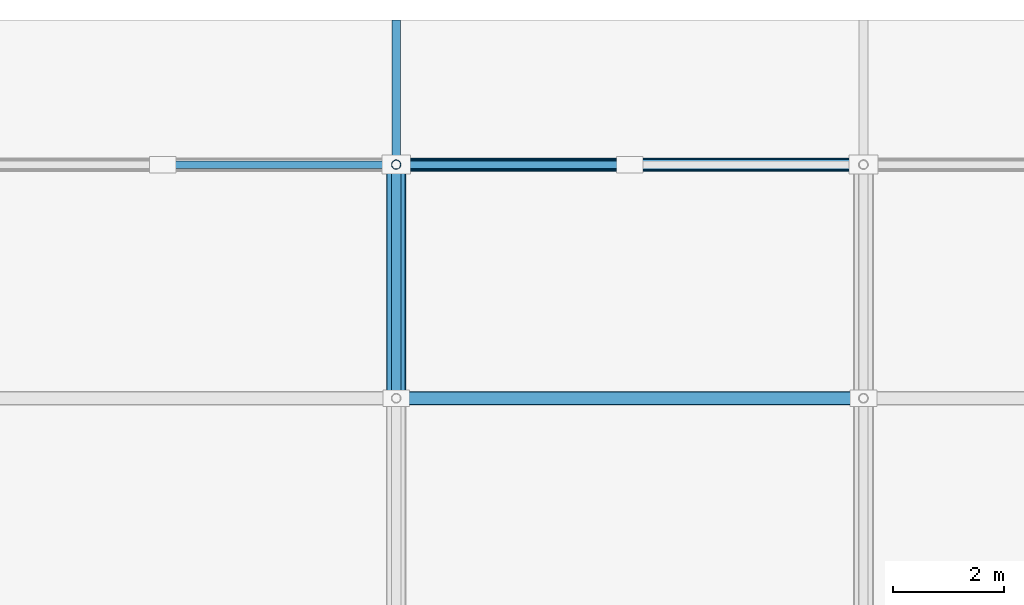
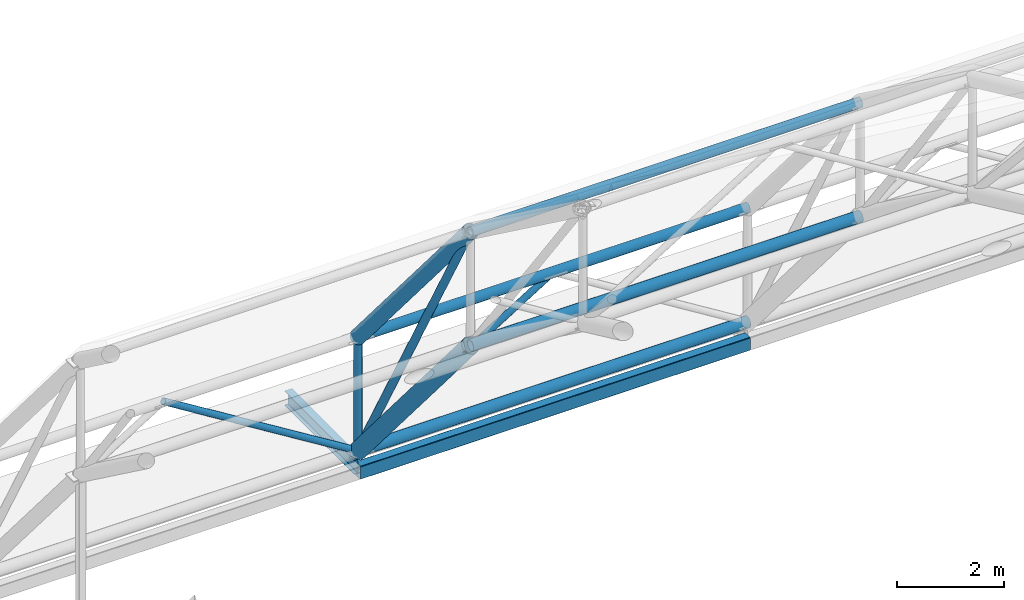
# One storey, part 19 of 103: 8 members, 4 beams.
"""IFC4 building model written with IfcOpenShell, lengths in metres."""

import ifcopenshell
import ifcopenshell.guid

model = None  # the IFC model being written
_history = None  # IfcOwnerHistory: only IFC2X3 demands one
_inside = {}  # id of a spatial element -> (the spatial element, [elements in it])
_under = {}  # id of a project, library or spatial element -> (it, [spatial elements below it])
_declared = {}  # id of a project -> (the project, [libraries it declares])
_typed = {}  # id of a type object -> (the type object, [elements of that type])
_made_of = {}  # id of a material, layer set ... -> (it, [elements and type objects made of it])


def new_model(schema):
    """Start an empty IFC model of exactly this schema.

    Asked for "IFC4X3", IfcOpenShell would pick the latest addendum, in which some entities
    have other attributes; the version numbers below select the first issue.
    IFC2X3 requires an IfcOwnerHistory on every rooted entity: one is made here for all.
    """
    global model, _history
    if schema == "IFC4X3":
        model = ifcopenshell.file(schema_version=(4, 3, 0, 0))
    else:
        model = ifcopenshell.file(schema=schema)
    _inside.clear()
    _under.clear()
    _declared.clear()
    _typed.clear()
    _made_of.clear()
    _history = None
    if model.schema == "IFC2X3":
        org = make("IfcOrganization", Name="unknown")
        user = make(
            "IfcPersonAndOrganization",
            ThePerson=make("IfcPerson", FamilyName="unknown"),
            TheOrganization=org,
        )
        app = make(
            "IfcApplication",
            ApplicationDeveloper=org,
            Version="unknown",
            ApplicationFullName="unknown",
            ApplicationIdentifier="unknown",
        )
        _history = make(
            "IfcOwnerHistory",
            OwningUser=user,
            OwningApplication=app,
            ChangeAction="ADDED",
            CreationDate=0,
        )
    return model


def make(cls, **values):
    """One entity of the class cls with the attributes given. An attribute that is None is left unset."""
    return model.create_entity(
        cls, **{name: value for name, value in values.items() if value is not None}
    )


def rooted(cls, **values):
    """An entity with a GlobalId (a new one), such as an element, a storey or a relation."""
    return make(cls, GlobalId=ifcopenshell.guid.new(), OwnerHistory=_history, **values)


def si_unit(unit_type, name, prefix=None):
    """IfcSIUnit, for example si_unit("LENGTHUNIT", "METRE", prefix="MILLI")."""
    return make("IfcSIUnit", UnitType=unit_type, Prefix=prefix, Name=name)


def assignment(units):
    """IfcUnitAssignment: the units of a project."""
    return None if units is None else make("IfcUnitAssignment", Units=units)


def point(xyz):
    """IfcCartesianPoint."""
    return None if xyz is None else make("IfcCartesianPoint", Coordinates=xyz)


def direction(xyz):
    """IfcDirection."""
    return None if xyz is None else make("IfcDirection", DirectionRatios=xyz)


def frame(location, z_axis=None, x_axis=None):
    """IfcAxis2Placement3D, a coordinate frame: its origin and axes. An axis left out is left unset."""
    return make(
        "IfcAxis2Placement3D",
        Location=point(location),
        Axis=direction(z_axis),
        RefDirection=direction(x_axis),
    )


def frame_2d(location, x_axis=None):
    """IfcAxis2Placement2D, a coordinate frame in the plane: its origin and x axis."""
    return make(
        "IfcAxis2Placement2D", Location=point(location), RefDirection=direction(x_axis)
    )


def origin():
    """The frame at (0, 0, 0) with its axes left unset."""
    return frame((0.0, 0.0, 0.0))


def origin_2d():
    """The frame at (0, 0) in the plane with its x axis left unset."""
    return frame_2d((0.0, 0.0))


def place(relative_to, where):
    """IfcLocalPlacement: puts the frame where relative to a parent placement (None: the world)."""
    return make(
        "IfcLocalPlacement", PlacementRelTo=relative_to, RelativePlacement=where
    )


def context(
    kind, dimensions, precision=None, world=None, true_north=None, identifier=None
):
    """IfcGeometricRepresentationContext, for example the 3D "Model" context."""
    return make(
        "IfcGeometricRepresentationContext",
        ContextIdentifier=identifier,
        ContextType=kind,
        CoordinateSpaceDimension=dimensions,
        Precision=precision,
        WorldCoordinateSystem=world,
        TrueNorth=true_north,
    )


def subcontext(parent, identifier, kind, view, scale=None):
    """IfcGeometricRepresentationSubContext, for example "Body" below "Model"."""
    return make(
        "IfcGeometricRepresentationSubContext",
        ContextIdentifier=identifier,
        ContextType=kind,
        ParentContext=parent,
        TargetScale=scale,
        TargetView=view,
    )


def project(units=None, contexts=None):
    """IfcProject with its units and contexts."""
    return rooted(
        "IfcProject",
        Name="project",
        RepresentationContexts=contexts,
        UnitsInContext=assignment(units),
    )


def spatial(cls, under=None, at=None, **own):
    """A site, building, storey or space (cls), placed at a placement, below another one or the project."""
    s = rooted(cls, ObjectPlacement=at, **own)
    if under is not None:
        _under.setdefault(under.id(), (under, []))[1].append(s)
    return s


def profile(cls, at=None, kind="AREA", **sizes):
    """A parametric profile (cls). Its sizes go by their IFC names, for example OverallWidth=200.0."""
    return make(cls, ProfileType=kind, Position=at, **sizes)


def hollow_rectangle(**sizes):
    """IfcRectangleHollowProfileDef."""
    return profile("IfcRectangleHollowProfileDef", **sizes)


def hollow_circle(**sizes):
    """IfcCircleHollowProfileDef."""
    return profile("IfcCircleHollowProfileDef", **sizes)


def i_section(**sizes):
    """IfcIShapeProfileDef."""
    return profile("IfcIShapeProfileDef", **sizes)


def extrude(swept, where, along, depth):
    """IfcExtrudedAreaSolid: the profile swept, set in the frame where, extruded along a direction by depth."""
    return make(
        "IfcExtrudedAreaSolid",
        SweptArea=swept,
        Position=where,
        ExtrudedDirection=direction(along),
        Depth=depth,
    )


def shape(context_of_items, identifier, shape_type, items):
    """IfcShapeRepresentation: the items that make up one representation, for example the "Body"."""
    return make(
        "IfcShapeRepresentation",
        ContextOfItems=context_of_items,
        RepresentationIdentifier=identifier,
        RepresentationType=shape_type,
        Items=items,
    )


def material(Name=None, Category=None):
    """IfcMaterial."""
    return make("IfcMaterial", Name=Name, Category=Category)


def material_profile(
    of_material, cross_section, Name=None, Category=None, Priority=None
):
    """IfcMaterialProfile: a cross section and its material."""
    return make(
        "IfcMaterialProfile",
        Name=Name,
        Material=of_material,
        Profile=cross_section,
        Priority=Priority,
        Category=Category,
    )


def profile_set(profiles, Name=None, composite=None):
    """IfcMaterialProfileSet."""
    return make(
        "IfcMaterialProfileSet",
        Name=Name,
        MaterialProfiles=profiles,
        CompositeProfile=composite,
    )


def made_of(thing, what):
    """Note that an element or type object is made of a material, layer set ...; save() writes the relation."""
    if what is not None:
        _made_of.setdefault(what.id(), (what, []))[1].append(thing)
    return thing


def type_object(cls, material=None, **own):
    """A type object (cls), such as IfcWallType, which elements share."""
    return made_of(rooted(cls, **own), material)


def element(
    cls,
    number,
    at=None,
    inside=None,
    cuts=None,
    type_object=None,
    material=None,
    context=None,
    identifier="Body",
    shape_type=None,
    held_by="IfcProductDefinitionShape",
    body=None,
    shapes=None,
    **own,
):
    """One element of the class cls, such as IfcWall. Its Tag is "e" and its number.

    at: its placement. inside: the storey or other place that contains it. cuts: it is an
    opening in that element (IfcRelVoidsElement). A single representation is given by context,
    identifier, shape_type and body (its items); several are given by shapes. held_by: the class
    of the entity that holds the representations. save() writes the other relations.
    """
    e = rooted(cls, Tag="e%d" % number, ObjectPlacement=at, **own)
    if body is not None:
        shapes = [shape(context, identifier, shape_type, body)]
    if shapes is not None:
        e.Representation = make(held_by, Representations=shapes)
    if inside is not None:
        _inside.setdefault(inside.id(), (inside, []))[1].append(e)
    if cuts is not None:
        rooted(
            "IfcRelVoidsElement", RelatingBuildingElement=cuts, RelatedOpeningElement=e
        )
    if type_object is not None:
        _typed.setdefault(type_object.id(), (type_object, []))[1].append(e)
    return made_of(e, material)


def aggregate(whole, parts):
    """IfcRelAggregates: a whole, such as a stair, and the parts it consists of."""
    return rooted("IfcRelAggregates", RelatingObject=whole, RelatedObjects=parts)


def save(model, path):
    """Write the relations noted so far, then the file.

    IfcRelAggregates (storeys below a building ...), IfcRelContainedInSpatialStructure (elements
    in a storey), IfcRelDefinesByType, IfcRelAssociatesMaterial and IfcRelDeclares: one each for
    every whole, place, type object, material and project.
    """
    for whole, parts in _under.values():
        aggregate(whole, parts)
    for where, things in _inside.values():
        rooted(
            "IfcRelContainedInSpatialStructure",
            RelatedElements=things,
            RelatingStructure=where,
        )
    for kind, things in _typed.values():
        rooted("IfcRelDefinesByType", RelatedObjects=things, RelatingType=kind)
    for what, things in _made_of.values():
        rooted("IfcRelAssociatesMaterial", RelatedObjects=things, RelatingMaterial=what)
    for by, libraries in _declared.values():
        rooted("IfcRelDeclares", RelatingContext=by, RelatedDefinitions=libraries)
    model.write(path)


model = new_model("IFC4")

# Units and contexts
model_context = context("Model", 3, precision=1e-05, world=origin(), true_north=direction((0.0, 1.0)))
body_context = subcontext(model_context, "Body", "Model", "MODEL_VIEW")
ifc_project = project(units=[si_unit("LENGTHUNIT", "METRE"), si_unit("AREAUNIT", "SQUARE_METRE"), si_unit("VOLUMEUNIT", "CUBIC_METRE"), si_unit("PLANEANGLEUNIT", "RADIAN"), si_unit("MASSUNIT", "GRAM", prefix="KILO")], contexts=[model_context])

# Site, building, storey
site_placement = place(None, origin())
site = spatial("IfcSite", under=ifc_project, at=site_placement, CompositionType="ELEMENT")
building_placement = place(site_placement, origin())
building = spatial("IfcBuilding", under=site, at=building_placement, Name="Varnapada Polytechnic", CompositionType="ELEMENT")
storey_placement = place(building_placement, frame((0.0, 0.0, 18.0)))
storey = spatial("IfcBuildingStorey", under=building, at=storey_placement, Name="L04", CompositionType="ELEMENT", Elevation=18.0)

# Beam
ifc_material = material(Name="Steel S355", Category="steel")
ifc_material_profile_1 = material_profile(ifc_material, i_section(OverallWidth=0.159912109375, OverallDepth=0.330078125, WebThickness=0.007568359375, FlangeThickness=0.011474609375, FilletRadius=0.01806640625, at=origin_2d()), Name="IPE 330")
ifc_profile_set_1 = profile_set([ifc_material_profile_1], Name="Steel S355")
beam_type_1 = type_object("IfcBeamType", Name="Clerestory monitor steel rafter SB-07 (IPE 330)", PredefinedType="BEAM", material=ifc_profile_set_1)
beam_1_placement = place(storey_placement, frame((58.800048828125, 126.0, -0.35009765625), z_axis=(0.0, 1.0, 0.0), x_axis=(-1.0, 0.0, 0.0)))
element("IfcBeam", 1, at=beam_1_placement, inside=storey, type_object=beam_type_1, Name="Workshop eave shade outlooker N.2", PredefinedType="BEAM", context=body_context, shape_type="SweptSolid", body=[
    extrude(i_section(OverallWidth=0.159912109375, OverallDepth=0.330078125, WebThickness=0.007568359375, FlangeThickness=0.011474609375, FilletRadius=0.01806640625, at=origin_2d()), origin(), (0.0, 0.0, 1.0), 2.60009765625),
])

# Members
ifc_material_profile_2 = material_profile(ifc_material, hollow_circle(Radius=0.122314453125, WallThickness=0.008056640625, at=origin_2d()), Name="CHS 244.5x8.0")
ifc_profile_set_2 = profile_set([ifc_material_profile_2], Name="Steel S355")
member_type_1 = type_object("IfcMemberType", Name="Vaulted space frame longitudinal bottom chord SFC-01 (CHS 244.5x8.0)", PredefinedType="CHORD", material=ifc_profile_set_2)
for number, where, z_axis, x_axis, name in (
    (2, (58.800048828125, 121.800048828125, 4.94921875), (1.0, 0.0, 0.0), (0.0, 1.0, 0.0), "Vaulted space frame longitudinal bottom chord 2.10"),
    (3, (58.800048828125, 126.0, 0.0), (1.0, 0.0, 0.0), (0.0, 1.0, 0.0), "Vaulted space frame longitudinal bottom chord 2.11"),
):
    element("IfcMember", number, at=place(storey_placement, frame(where, z_axis=z_axis, x_axis=x_axis)), inside=storey, type_object=member_type_1, Name=name, PredefinedType="CHORD", context=body_context, shape_type="SweptSolid", body=[
        extrude(hollow_circle(Radius=0.122314453125, WallThickness=0.008056640625, at=origin_2d()), origin(), (0.0, 0.0, 1.0), 8.39990234375),
    ])
ifc_material_profile_3 = material_profile(ifc_material, hollow_circle(Radius=0.109619140625, WallThickness=0.008056640625, at=origin_2d()), Name="CHS 219.1x8.0")
ifc_profile_set_3 = profile_set([ifc_material_profile_3], Name="Steel S355")
member_type_2 = type_object("IfcMemberType", Name="Vaulted space frame longitudinal top chord SFC-02 (CHS 219.1x8.0)", PredefinedType="CHORD", material=ifc_profile_set_3)
for number, where, z_axis, x_axis, name in (
    (4, (58.800048828125, 121.800048828125, 7.549072265625), (1.0, 0.0, 0.0), (0.0, 1.0, 0.0), "Vaulted space frame longitudinal top chord 2.10"),
    (5, (58.800048828125, 126.0, 2.60009765625), (1.0, 0.0, 0.0), (0.0, 1.0, 0.0), "Vaulted space frame longitudinal top chord 2.11"),
):
    element("IfcMember", number, at=place(storey_placement, frame(where, z_axis=z_axis, x_axis=x_axis)), inside=storey, type_object=member_type_2, Name=name, PredefinedType="CHORD", context=body_context, shape_type="SweptSolid", body=[
        extrude(hollow_circle(Radius=0.109619140625, WallThickness=0.008056640625, at=origin_2d()), origin(), (0.0, 0.0, 1.0), 8.39990234375),
    ])

# Beam
ifc_material_profile_4 = material_profile(ifc_material, hollow_circle(Radius=0.177734375, WallThickness=0.012451171875, at=origin_2d()), Name="CHS 355.6x12.5")
ifc_profile_set_4 = profile_set([ifc_material_profile_4], Name="Steel S355")
beam_type_2 = type_object("IfcBeamType", Name="Vaulted space frame primary arch rib VA-01 (CHS 355.6x12.5)", PredefinedType="BEAM", material=ifc_profile_set_4)
beam_2_placement = place(storey_placement, frame((58.800048828125, 121.800048828125, 4.94921875), z_axis=(0.0, 0.647032448214, -0.762462465279), x_axis=(-1.0, 0.0, 0.0)))
element("IfcBeam", 6, at=beam_2_placement, inside=storey, type_object=beam_type_2, Name="Vaulted space frame bottom arch chord 2.10", PredefinedType="BEAM", context=body_context, shape_type="SweptSolid", body=[
    extrude(hollow_circle(Radius=0.177734375, WallThickness=0.012451171875, at=origin_2d()), origin(), (0.0, 0.0, 1.0), 6.4912109375),
])

# Members
ifc_material_profile_5 = material_profile(ifc_material, hollow_circle(Radius=0.084228515625, WallThickness=0.00634765625, at=origin_2d()), Name="CHS 168.3x6.3")
ifc_profile_set_5 = profile_set([ifc_material_profile_5], Name="Steel S355")
member_type_3 = type_object("IfcMemberType", Name="Vaulted space frame primary web diagonal SFB-01 (CHS 168.3x6.3)", PredefinedType="BRACE", material=ifc_profile_set_5)
member_1_placement = place(storey_placement, frame((58.800048828125, 121.800048828125, 7.549072265625), z_axis=(0.0, 0.486175535898, -0.873861172209), x_axis=(-1.0, 0.0, 0.0)))
element("IfcMember", 7, at=member_1_placement, inside=storey, type_object=member_type_3, Name="Vaulted space frame web diagonal 2.10", PredefinedType="BRACE", context=body_context, shape_type="SweptSolid", body=[
    extrude(hollow_circle(Radius=0.084228515625, WallThickness=0.00634765625, at=origin_2d()), origin(), (0.0, 0.0, 1.0), 8.638671875),
])
ifc_material_profile_6 = material_profile(ifc_material, hollow_circle(Radius=0.084228515625, WallThickness=0.00634765625, at=origin_2d()), Name="CHS 168.3x6.3")
ifc_profile_set_6 = profile_set([ifc_material_profile_6], Name="Steel S355")
member_type_4 = type_object("IfcMemberType", Name="Vaulted space frame radial web strut SFS-01 (CHS 168.3x6.3)", PredefinedType="STRUT", material=ifc_profile_set_6)
member_2_placement = place(storey_placement, frame((58.800048828125, 126.0, 0.0), z_axis=(0.0, 0.0, 1.0), x_axis=(1.0, 0.0, 0.0)))
element("IfcMember", 8, at=member_2_placement, inside=storey, type_object=member_type_4, Name="Vaulted space frame strut 2.11", PredefinedType="STRUT", context=body_context, shape_type="SweptSolid", body=[
    extrude(hollow_circle(Radius=0.084228515625, WallThickness=0.00634765625, at=origin_2d()), origin(), (0.0, 0.0, 1.0), 2.60009765625),
])
ifc_material_profile_7 = material_profile(ifc_material, hollow_circle(Radius=0.06982421875, WallThickness=0.0048828125, at=origin_2d()), Name="CHS 139.7x5.0")
ifc_profile_set_7 = profile_set([ifc_material_profile_7], Name="Steel S355")
member_type_5 = type_object("IfcMemberType", Name="Vaulted space frame secondary web diagonal SFB-02 (CHS 139.7x5.0)", PredefinedType="BRACE", material=ifc_profile_set_7)
for number, where, z_axis, x_axis, name in (
    (9, (58.800048828125, 126.0, 0.0), (-0.85025356003, 0.0, 0.526373331065), (0.0, -1.0, 0.0), "Vaulted space frame longitudinal brace 1.11B"),
    (10, (58.800048828125, 126.0, 0.0), (0.85025356003, 0.0, 0.526373331065), (0.0, 1.0, 0.0), "Vaulted space frame longitudinal brace 2.11A"),
):
    element("IfcMember", number, at=place(storey_placement, frame(where, z_axis=z_axis, x_axis=x_axis)), inside=storey, type_object=member_type_5, Name=name, PredefinedType="BRACE", context=body_context, shape_type="SweptSolid", body=[
        extrude(hollow_circle(Radius=0.06982421875, WallThickness=0.0048828125, at=origin_2d()), origin(), (0.0, 0.0, 1.0), 4.939697265625),
    ])

# Beams
ifc_material_profile_8 = material_profile(ifc_material, hollow_circle(Radius=0.161865234375, WallThickness=0.010009765625, at=origin_2d()), Name="CHS 323.9x10.0")
ifc_profile_set_8 = profile_set([ifc_material_profile_8], Name="Steel S355")
beam_type_3 = type_object("IfcBeamType", Name="Vaulted space frame upper arch rib VA-02 (CHS 323.9x10.0)", PredefinedType="BEAM", material=ifc_profile_set_8)
beam_3_placement = place(storey_placement, frame((58.800048828125, 121.800048828125, 7.549072265625), z_axis=(0.0, 0.647051003787, -0.762446718465), x_axis=(-1.0, 0.0, 0.0)))
element("IfcBeam", 11, at=beam_3_placement, inside=storey, type_object=beam_type_3, Name="Vaulted space frame top arch chord 2.10", PredefinedType="BEAM", context=body_context, shape_type="SweptSolid", body=[
    extrude(hollow_circle(Radius=0.161865234375, WallThickness=0.010009765625, at=origin_2d()), origin(), (0.0, 0.0, 1.0), 6.490966796875),
])
ifc_material_profile_9 = material_profile(ifc_material, hollow_rectangle(XDim=0.199951171875, YDim=0.300048828125, WallThickness=0.010009765625, InnerFilletRadius=0.010009765625, OuterFilletRadius=0.02001953125, at=origin_2d()), Name="RHS 300x200x10")
ifc_profile_set_9 = profile_set([ifc_material_profile_9], Name="Steel S355")
beam_type_4 = type_object("IfcBeamType", Name="Workshop steel spandrel tie SP-03 (RHS 300x200x10)", PredefinedType="SPANDREL", material=ifc_profile_set_9)
beam_4_placement = place(storey_placement, frame((58.800048828125, 126.0, -0.449951171875), z_axis=(1.0, 0.0, 0.0), x_axis=(0.0, 1.0, 0.0)))
element("IfcBeam", 12, at=beam_4_placement, inside=storey, type_object=beam_type_4, Name="L04 workshop clerestory tie X8-9 Y16", PredefinedType="SPANDREL", context=body_context, shape_type="SweptSolid", body=[
    extrude(hollow_rectangle(XDim=0.199951171875, YDim=0.300048828125, WallThickness=0.010009765625, InnerFilletRadius=0.010009765625, OuterFilletRadius=0.02001953125, at=origin_2d()), origin(), (0.0, 0.0, 1.0), 8.39990234375),
])

save(model, "model.ifc")
